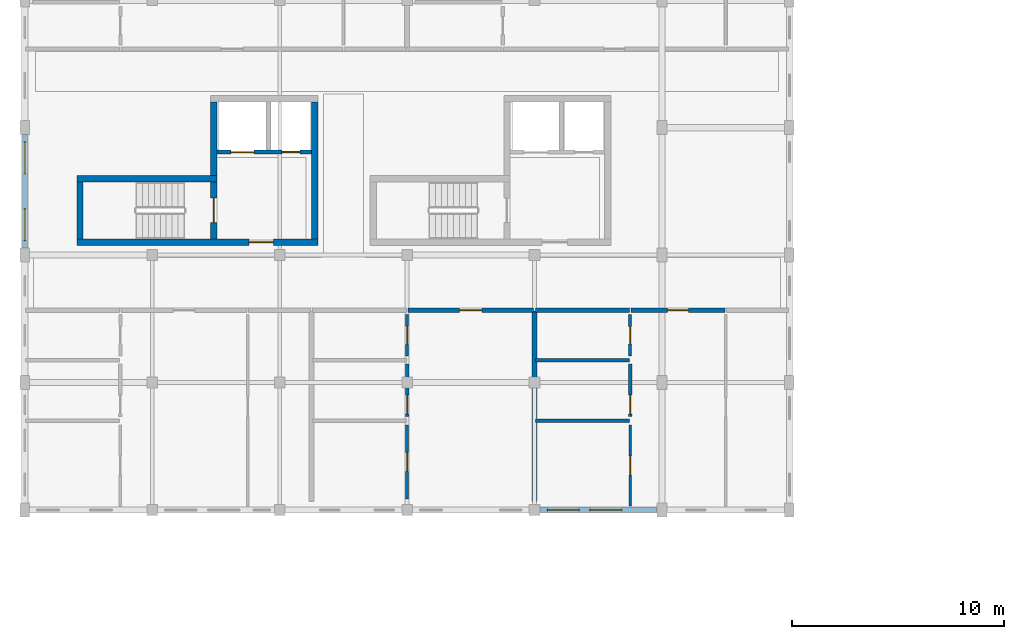
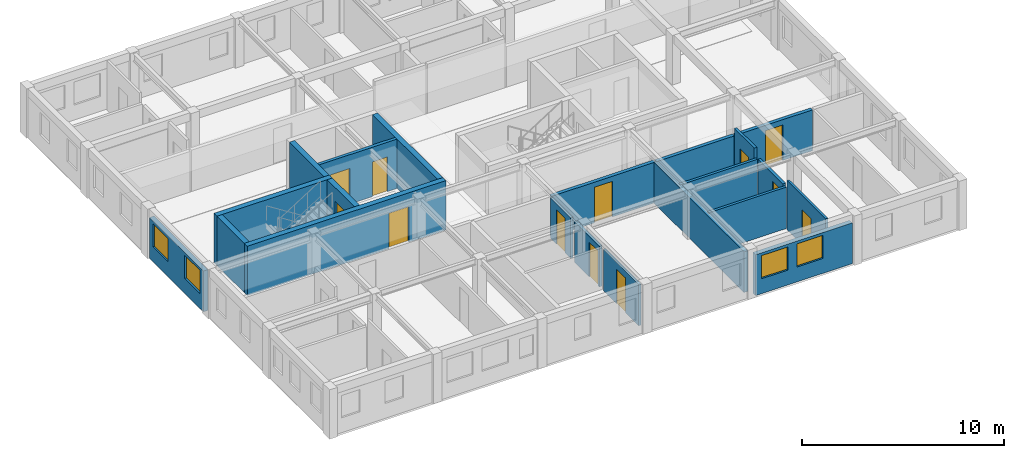
# One storey, part 4 of 17: 21 walls, 12 doors, 4 windows, 16 openings.
"""IFC4 building model written with IfcOpenShell, lengths in metres."""

from ifc_helpers import new_model, si_unit, direction, frame, frame_2d, origin, place, context, subcontext, project, spatial, rectangle, extrude, material, layer, layer_set, type_object, element, fill, save


model = new_model("IFC4")

# Units and contexts
model_context = context("Model", 3, precision=1e-05, world=origin(), true_north=direction((0.0, 1.0)))
body_context = subcontext(model_context, "Body", "Model", "MODEL_VIEW")
ifc_project = project(units=[si_unit("LENGTHUNIT", "METRE"), si_unit("AREAUNIT", "SQUARE_METRE"), si_unit("VOLUMEUNIT", "CUBIC_METRE"), si_unit("PLANEANGLEUNIT", "RADIAN"), si_unit("MASSUNIT", "GRAM", prefix="KILO"), si_unit("POWERUNIT", "WATT"), si_unit("THERMODYNAMICTEMPERATUREUNIT", "KELVIN")], contexts=[model_context])

# Site, building, storey
site_placement = place(None, origin())
site = spatial("IfcSite", under=ifc_project, at=site_placement, CompositionType="ELEMENT")
building_placement = place(site_placement, origin())
building = spatial("IfcBuilding", under=site, at=building_placement, Name="Ruvembo Vaulted Housing Court", CompositionType="ELEMENT")
storey_placement = place(building_placement, frame((0.0, 0.0, 30.10009765625)))
storey = spatial("IfcBuildingStorey", under=building, at=storey_placement, Name="L09", CompositionType="ELEMENT", Elevation=30.10009765625)

# Wall, opening, door
ifc_material_1 = material(Name="Concrete C35/45", Category="concrete")
ifc_layer_1 = layer(ifc_material_1, 0.300048828125, Name="Concrete C35/45")
ifc_layer_set_1 = layer_set([ifc_layer_1], Name="Concrete C35/45")
wall_type_1 = type_object("IfcWallType", Name="WL-CORE-300", PredefinedType="SHEAR", material=ifc_layer_set_1)
wall_1_placement = place(storey_placement, frame((2.449951171875, 18.60009765625, 0.0), z_axis=(0.0, 0.0, 1.0), x_axis=(1.0, 0.0, 0.0)))
wall_1 = element("IfcWall", 1, at=wall_1_placement, inside=storey, type_object=wall_type_1, Name="Core A1 L09 South Shear Wall", PredefinedType="SHEAR", context=body_context, shape_type="SweptSolid", body=[
    extrude(rectangle(XDim=11.35009765625, YDim=0.300048828125, at=frame_2d((5.675048828125, 0.0))), origin(), (0.0, 0.0, 1.0), 2.98486328125),
])
opening_1_placement = place(wall_1_placement, frame((8.10009765625, 0.0, 0.0)))
opening_1 = element("IfcOpeningElement", 2, at=opening_1_placement, cuts=wall_1, Name="Opening LD0", PredefinedType="OPENING", context=body_context, shape_type="SweptSolid", body=[
    extrude(rectangle(XDim=1.14990234375, YDim=2.14990234375, at=frame_2d((0.574951171875, 1.074951171875))), frame((0.0, 0.159912109375, 0.0), z_axis=(0.0, -1.0, 0.0), x_axis=(1.0, 0.0, 0.0)), (0.0, 0.0, 1.0), 0.320068359375),
])
ifc_material_2 = material(Name="Galvanised Painted Steel", Category="steel")
door_type_1 = type_object("IfcDoorType", Name="DR-LOB-1150x2150", OperationType="NOTDEFINED", PredefinedType="DOOR", material=ifc_material_2)
door_1_placement = place(opening_1_placement, origin())
door_1 = element("IfcDoor", 3, at=door_1_placement, inside=storey, type_object=door_type_1, Name="Core A1 L09 Lobby Fire Door", OperationType="SINGLE_SWING_LEFT", OverallHeight=2.14990234375, OverallWidth=1.14990234375, PredefinedType="DOOR", context=body_context, shape_type="SweptSolid", body=[
    extrude(rectangle(XDim=1.14990234375, YDim=2.14990234375, at=frame_2d((0.574951171875, 1.074951171875))), frame((0.0, 0.02490234375, 0.0), z_axis=(0.0, -1.0, 0.0), x_axis=(1.0, 0.0, 0.0)), (0.0, 0.0, 1.0), 0.050048828125),
])
fill(opening_1, door_1)

# Walls
wall_2_placement = place(storey_placement, frame((9.050048828125, 21.60009765625, 0.0), z_axis=(0.0, 0.0, 1.0), x_axis=(-1.0, 0.0, 0.0)))
element("IfcWall", 4, at=wall_2_placement, inside=storey, type_object=wall_type_1, Name="Core A1 L09 Stair North Shear Wall", PredefinedType="SHEAR", context=body_context, shape_type="SweptSolid", body=[
    extrude(rectangle(XDim=6.60009765625, YDim=0.300048828125, at=frame_2d((3.300048828125, 0.0))), origin(), (0.0, 0.0, 1.0), 2.98486328125),
])
wall_3_placement = place(storey_placement, frame((2.60009765625, 21.449951171875, 0.0), z_axis=(0.0, 0.0, 1.0), x_axis=(0.0, -1.0, 0.0)))
element("IfcWall", 5, at=wall_3_placement, inside=storey, type_object=wall_type_1, Name="Core A1 L09 Stair West Shear Wall", PredefinedType="SHEAR", context=body_context, shape_type="SweptSolid", body=[
    extrude(rectangle(XDim=2.699951171875, YDim=0.300048828125, at=frame_2d((1.35009765625, 0.0))), origin(), (0.0, 0.0, 1.0), 2.98486328125),
])

# Wall, opening, door
wall_4_placement = place(storey_placement, frame((8.89990234375, 18.75, 0.0), z_axis=(0.0, 0.0, 1.0), x_axis=(0.0, 1.0, 0.0)))
wall_4 = element("IfcWall", 6, at=wall_4_placement, inside=storey, type_object=wall_type_1, Name="Core A1 L09 Stair-Lobby Shear Wall", PredefinedType="SHEAR", context=body_context, shape_type="SweptSolid", body=[
    extrude(rectangle(XDim=2.699951171875, YDim=0.300048828125, at=frame_2d((1.35009765625, 0.0))), origin(), (0.0, 0.0, 1.0), 2.98486328125),
])
opening_2_placement = place(wall_4_placement, frame((0.77490234375, 0.0, 0.0)))
opening_2 = element("IfcOpeningElement", 7, at=opening_2_placement, cuts=wall_4, Name="Opening SD1", PredefinedType="OPENING", context=body_context, shape_type="SweptSolid", body=[
    extrude(rectangle(XDim=1.14990234375, YDim=2.14990234375, at=frame_2d((0.574951171875, 1.074951171875))), frame((0.0, 0.159912109375, 0.0), z_axis=(0.0, -1.0, 0.0), x_axis=(1.0, 0.0, 0.0)), (0.0, 0.0, 1.0), 0.320068359375),
])
door_type_2 = type_object("IfcDoorType", Name="DR-STAIR-1150x2150", OperationType="NOTDEFINED", PredefinedType="DOOR", material=ifc_material_2)
door_2_placement = place(opening_2_placement, origin())
door_2 = element("IfcDoor", 8, at=door_2_placement, inside=storey, type_object=door_type_2, Name="Stair ST-A1 L09 Fire Door", OperationType="SINGLE_SWING_RIGHT", OverallHeight=2.14990234375, OverallWidth=1.14990234375, PredefinedType="DOOR", context=body_context, shape_type="SweptSolid", body=[
    extrude(rectangle(XDim=1.14990234375, YDim=2.14990234375, at=frame_2d((0.574951171875, 1.074951171875))), frame((0.0, 0.02490234375, 0.0), z_axis=(0.0, -1.0, 0.0), x_axis=(1.0, 0.0, 0.0)), (0.0, 0.0, 1.0), 0.050048828125),
])
fill(opening_2, door_2)

# Walls
wall_5_placement = place(storey_placement, frame((13.64990234375, 18.75, 0.0), z_axis=(0.0, 0.0, 1.0), x_axis=(0.0, 1.0, 0.0)))
element("IfcWall", 9, at=wall_5_placement, inside=storey, type_object=wall_type_1, Name="Core A1 L09 East Shear Wall", PredefinedType="SHEAR", context=body_context, shape_type="SweptSolid", body=[
    extrude(rectangle(XDim=6.449951171875, YDim=0.300048828125, at=frame_2d((3.22509765625, 0.0))), origin(), (0.0, 0.0, 1.0), 2.98486328125),
])
wall_6_placement = place(storey_placement, frame((8.89990234375, 21.75, 0.0), z_axis=(0.0, 0.0, 1.0), x_axis=(0.0, 1.0, 0.0)))
element("IfcWall", 10, at=wall_6_placement, inside=storey, type_object=wall_type_1, Name="Core A1 L09 Upper West Shear Wall", PredefinedType="SHEAR", context=body_context, shape_type="SweptSolid", body=[
    extrude(rectangle(XDim=3.449951171875, YDim=0.300048828125, at=frame_2d((1.72509765625, 0.0))), origin(), (0.0, 0.0, 1.0), 2.98486328125),
])

# Wall, opening, door
ifc_material_3 = material(Name="Concrete Blockwork 200", Category="masonry")
ifc_layer_2 = layer(ifc_material_3, 0.199951171875, Name="Concrete Blockwork 200")
ifc_layer_set_2 = layer_set([ifc_layer_2], Name="Concrete Blockwork 200")
wall_type_2 = type_object("IfcWallType", Name="WL-CORR-200", PredefinedType="SOLIDWALL", material=ifc_layer_set_2)
wall_7_placement = place(storey_placement, frame((18.0400390625, 15.39990234375, 0.0), z_axis=(0.0, 0.0, 1.0), x_axis=(1.0, 0.0, 0.0)))
wall_7 = element("IfcWall", 11, at=wall_7_placement, inside=storey, type_object=wall_type_2, Name="L09 Flat A-L09-S2 Entrance WL-INT-L09-02144", PredefinedType="SOLIDWALL", context=body_context, shape_type="SweptSolid", body=[
    extrude(rectangle(XDim=5.919921875, YDim=0.199951171875, at=frame_2d((2.9599609375, 0.0))), origin(), (0.0, 0.0, 1.0), 2.4580078125),
])
opening_3_placement = place(wall_7_placement, frame((2.43505859375, 0.0, 0.0)))
opening_3 = element("IfcOpeningElement", 12, at=opening_3_placement, cuts=wall_7, Name="Opening FD3", PredefinedType="OPENING", context=body_context, shape_type="SweptSolid", body=[
    extrude(rectangle(XDim=1.050048828125, YDim=2.14990234375, at=frame_2d((0.52490234375, 1.074951171875))), frame((0.0, 0.10986328125, 0.0), z_axis=(0.0, -1.0, 0.0), x_axis=(1.0, 0.0, 0.0)), (0.0, 0.0, 1.0), 0.219970703125),
])
ifc_material_4 = material(Name="FSC Hardwood and Engineered Timber", Category="wood")
door_type_3 = type_object("IfcDoorType", Name="DR-FLAT-1050x2150", OperationType="NOTDEFINED", PredefinedType="DOOR", material=ifc_material_4)
door_3_placement = place(opening_3_placement, origin())
door_3 = element("IfcDoor", 13, at=door_3_placement, inside=storey, type_object=door_type_3, Name="L09 Flat A-L09-S2 Entrance Door DR-INT-L09-01193", OperationType="SINGLE_SWING_LEFT", OverallHeight=2.14990234375, OverallWidth=1.050048828125, PredefinedType="DOOR", context=body_context, shape_type="SweptSolid", body=[
    extrude(rectangle(XDim=1.050048828125, YDim=2.14990234375, at=frame_2d((0.52490234375, 1.074951171875))), frame((0.0, 0.02490234375, 0.0), z_axis=(0.0, -1.0, 0.0), x_axis=(1.0, 0.0, 0.0)), (0.0, 0.0, 1.0), 0.050048828125),
])
fill(opening_3, door_3)

# Wall
wall_8_placement = place(storey_placement, frame((24.0400390625, 15.39990234375, 0.0), z_axis=(0.0, 0.0, 1.0), x_axis=(1.0, 0.0, 0.0)))
element("IfcWall", 14, at=wall_8_placement, inside=storey, type_object=wall_type_2, Name="L09 Flat A-L09-S3 Corridor Wall WL-INT-L09-02150", PredefinedType="SOLIDWALL", context=body_context, shape_type="SweptSolid", body=[
    extrude(rectangle(XDim=4.419921875, YDim=0.199951171875, at=frame_2d((2.2099609375, 0.0))), origin(), (0.0, 0.0, 1.0), 2.4580078125),
])

# Wall, opening, door
wall_9_placement = place(storey_placement, frame((28.5400390625, 15.39990234375, 0.0), z_axis=(0.0, 0.0, 1.0), x_axis=(1.0, 0.0, 0.0)))
wall_9 = element("IfcWall", 15, at=wall_9_placement, inside=storey, type_object=wall_type_2, Name="L09 Flat A-L09-S3 Entrance WL-INT-L09-02151", PredefinedType="SOLIDWALL", context=body_context, shape_type="SweptSolid", body=[
    extrude(rectangle(XDim=4.419921875, YDim=0.199951171875, at=frame_2d((2.2099609375, 0.0))), origin(), (0.0, 0.0, 1.0), 2.466796875),
])
opening_4_placement = place(wall_9_placement, frame((1.7099609375, 0.0, 0.0)))
opening_4 = element("IfcOpeningElement", 16, at=opening_4_placement, cuts=wall_9, Name="Opening FD1", PredefinedType="OPENING", context=body_context, shape_type="SweptSolid", body=[
    extrude(rectangle(XDim=1.0, YDim=2.14990234375, at=frame_2d((0.5, 1.074951171875))), frame((0.0, 0.10986328125, 0.0), z_axis=(0.0, -1.0, 0.0), x_axis=(1.0, 0.0, 0.0)), (0.0, 0.0, 1.0), 0.219970703125),
])
door_type_4 = type_object("IfcDoorType", Name="DR-FLAT-1000x2150", OperationType="NOTDEFINED", PredefinedType="DOOR", material=ifc_material_4)
door_4_placement = place(opening_4_placement, origin())
door_4 = element("IfcDoor", 17, at=door_4_placement, inside=storey, type_object=door_type_4, Name="L09 Flat A-L09-S3 Entrance Door DR-INT-L09-01197", OperationType="SINGLE_SWING_LEFT", OverallHeight=2.14990234375, OverallWidth=1.0, PredefinedType="DOOR", context=body_context, shape_type="SweptSolid", body=[
    extrude(rectangle(XDim=1.0, YDim=2.14990234375, at=frame_2d((0.5, 1.074951171875))), frame((0.0, 0.02490234375, 0.0), z_axis=(0.0, -1.0, 0.0), x_axis=(1.0, 0.0, 0.0)), (0.0, 0.0, 1.0), 0.050048828125),
])
fill(opening_4, door_4)

# Wall
ifc_material_5 = material(Name="Acoustic Masonry Demising 230", Category="masonry")
ifc_layer_3 = layer(ifc_material_5, 0.22998046875, Name="Acoustic Masonry Demising 230")
ifc_layer_set_3 = layer_set([ifc_layer_3], Name="Acoustic Masonry Demising 230")
wall_type_3 = type_object("IfcWallType", Name="WL-DEM-230", PredefinedType="SOLIDWALL", material=ifc_layer_set_3)
wall_10_placement = place(storey_placement, frame((24.0, 6.389892578125, 0.0), z_axis=(0.0, 0.0, 1.0), x_axis=(0.0, 1.0, 0.0)))
element("IfcWall", 18, at=wall_10_placement, inside=storey, type_object=wall_type_3, Name="L09 Demising A-L09-S2 WL-INT-L09-02142", PredefinedType="SOLIDWALL", context=body_context, shape_type="SweptSolid", body=[
    extrude(rectangle(XDim=8.97021484375, YDim=0.22998046875, at=frame_2d((4.485107421875, 0.0))), origin(), (0.0, 0.0, 1.0), 2.4580078125),
])

# Wall, openings, windows
ifc_material_6 = material(Name="Rendered Masonry 260", Category="masonry")
ifc_layer_4 = layer(ifc_material_6, 0.260009765625, Name="Rendered Masonry 260")
ifc_layer_set_4 = layer_set([ifc_layer_4], Name="Rendered Masonry 260")
wall_type_4 = type_object("IfcWallType", Name="WL-EXT-260", PredefinedType="STANDARD", material=ifc_layer_set_4)
wall_11_placement = place(storey_placement, frame((24.25, 6.0, 0.0), z_axis=(0.0, 0.0, 1.0), x_axis=(1.0, 0.0, 0.0)))
wall_11 = element("IfcWall", 19, at=wall_11_placement, inside=storey, type_object=wall_type_4, Name="Block A L09 Exterior Wall STREET #5", PredefinedType="STANDARD", context=body_context, shape_type="SweptSolid", body=[
    extrude(rectangle(XDim=5.52490234375, YDim=0.260009765625, at=frame_2d((2.762451171875, 0.0))), origin(), (0.0, 0.0, 1.0), 2.466796875),
])
opening_5_placement = place(wall_11_placement, frame((0.35009765625, 0.0, 0.89990234375)))
opening_5 = element("IfcOpeningElement", 20, at=opening_5_placement, cuts=wall_11, Name="Opening W18", PredefinedType="OPENING", context=body_context, shape_type="SweptSolid", body=[
    extrude(rectangle(XDim=1.5, YDim=1.39990234375, at=frame_2d((0.75, 0.699951171875))), frame((0.0, 0.139892578125, 0.0), z_axis=(0.0, -1.0, 0.0), x_axis=(1.0, 0.0, 0.0)), (0.0, 0.0, 1.0), 0.280029296875),
])
opening_6_placement = place(wall_11_placement, frame((2.360107421875, 0.0, 0.89990234375)))
opening_6 = element("IfcOpeningElement", 21, at=opening_6_placement, cuts=wall_11, Name="Opening W18", PredefinedType="OPENING", context=body_context, shape_type="SweptSolid", body=[
    extrude(rectangle(XDim=1.5, YDim=1.39990234375, at=frame_2d((0.75, 0.699951171875))), frame((0.0, 0.139892578125, 0.0), z_axis=(0.0, -1.0, 0.0), x_axis=(1.0, 0.0, 0.0)), (0.0, 0.0, 1.0), 0.280029296875),
])
ifc_material_7 = material(Name="Double Solar-Control Glazing in Aluminium Frame", Category="aluminium")
window_type = type_object("IfcWindowType", Name="WIN-1500x1400", PartitioningType="SINGLE_PANEL", PredefinedType="WINDOW", material=ifc_material_7)
window_1_placement = place(opening_5_placement, origin())
window_1 = element("IfcWindow", 22, at=window_1_placement, inside=storey, type_object=window_type, Name="Block A L09 Window #395", OverallHeight=1.39990234375, OverallWidth=1.5, PartitioningType="SINGLE_PANEL", PredefinedType="WINDOW", context=body_context, shape_type="SweptSolid", body=[
    extrude(rectangle(XDim=1.5, YDim=1.39990234375, at=frame_2d((0.75, 0.699951171875))), frame((0.0, 0.030029296875, 0.0), z_axis=(0.0, -1.0, 0.0), x_axis=(1.0, 0.0, 0.0)), (0.0, 0.0, 1.0), 0.06005859375),
])
fill(opening_5, window_1)
window_2_placement = place(opening_6_placement, origin())
window_2 = element("IfcWindow", 23, at=window_2_placement, inside=storey, type_object=window_type, Name="Block A L09 Window #396", OverallHeight=1.39990234375, OverallWidth=1.5, PartitioningType="SINGLE_PANEL", PredefinedType="WINDOW", context=body_context, shape_type="SweptSolid", body=[
    extrude(rectangle(XDim=1.5, YDim=1.39990234375, at=frame_2d((0.75, 0.699951171875))), frame((0.0, 0.030029296875, 0.0), z_axis=(0.0, -1.0, 0.0), x_axis=(1.0, 0.0, 0.0)), (0.0, 0.0, 1.0), 0.06005859375),
])
fill(opening_6, window_2)

wall_12_placement = place(storey_placement, frame((0.0, 23.675048828125, 0.0), z_axis=(0.0, 0.0, 1.0), x_axis=(0.0, -1.0, 0.0)))
wall_12 = element("IfcWall", 24, at=wall_12_placement, inside=storey, type_object=wall_type_4, Name="Block A L09 Exterior Wall WEST #3", PredefinedType="STANDARD", context=body_context, shape_type="SweptSolid", body=[
    extrude(rectangle(XDim=5.35009765625, YDim=0.260009765625, at=frame_2d((2.675048828125, 0.0))), origin(), (0.0, 0.0, 1.0), 2.466796875),
])
opening_7_placement = place(wall_12_placement, frame((0.35009765625, 0.0, 0.89990234375)))
opening_7 = element("IfcOpeningElement", 25, at=opening_7_placement, cuts=wall_12, Name="Opening W18", PredefinedType="OPENING", context=body_context, shape_type="SweptSolid", body=[
    extrude(rectangle(XDim=1.5, YDim=1.39990234375, at=frame_2d((0.75, 0.699951171875))), frame((0.0, 0.139892578125, 0.0), z_axis=(0.0, -1.0, 0.0), x_axis=(1.0, 0.0, 0.0)), (0.0, 0.0, 1.0), 0.280029296875),
])
opening_8_placement = place(wall_12_placement, frame((3.5, 0.0, 0.89990234375)))
opening_8 = element("IfcOpeningElement", 26, at=opening_8_placement, cuts=wall_12, Name="Opening W18", PredefinedType="OPENING", context=body_context, shape_type="SweptSolid", body=[
    extrude(rectangle(XDim=1.5, YDim=1.39990234375, at=frame_2d((0.75, 0.699951171875))), frame((0.0, 0.139892578125, 0.0), z_axis=(0.0, -1.0, 0.0), x_axis=(1.0, 0.0, 0.0)), (0.0, 0.0, 1.0), 0.280029296875),
])
window_3_placement = place(opening_7_placement, origin())
window_3 = element("IfcWindow", 27, at=window_3_placement, inside=storey, type_object=window_type, Name="Block A L09 Window #425", OverallHeight=1.39990234375, OverallWidth=1.5, PartitioningType="SINGLE_PANEL", PredefinedType="WINDOW", context=body_context, shape_type="SweptSolid", body=[
    extrude(rectangle(XDim=1.5, YDim=1.39990234375, at=frame_2d((0.75, 0.699951171875))), frame((0.0, 0.030029296875, 0.0), z_axis=(0.0, -1.0, 0.0), x_axis=(1.0, 0.0, 0.0)), (0.0, 0.0, 1.0), 0.06005859375),
])
fill(opening_7, window_3)
window_4_placement = place(opening_8_placement, origin())
window_4 = element("IfcWindow", 28, at=window_4_placement, inside=storey, type_object=window_type, Name="Block A L09 Window #426", OverallHeight=1.39990234375, OverallWidth=1.5, PartitioningType="SINGLE_PANEL", PredefinedType="WINDOW", context=body_context, shape_type="SweptSolid", body=[
    extrude(rectangle(XDim=1.5, YDim=1.39990234375, at=frame_2d((0.75, 0.699951171875))), frame((0.0, 0.030029296875, 0.0), z_axis=(0.0, -1.0, 0.0), x_axis=(1.0, 0.0, 0.0)), (0.0, 0.0, 1.0), 0.06005859375),
])
fill(opening_8, window_4)

# Wall, opening, door
ifc_material_8 = material(Name="Plasterboard Stud Partition 125", Category="gypsum")
ifc_layer_5 = layer(ifc_material_8, 0.125, Name="Plasterboard Stud Partition 125")
ifc_layer_set_5 = layer_set([ifc_layer_5], Name="Plasterboard Stud Partition 125")
wall_type_5 = type_object("IfcWallType", Name="WL-PART-125", PredefinedType="PARTITIONING", material=ifc_layer_set_5)
wall_13_placement = place(storey_placement, frame((28.5, 6.18994140625, 0.0), z_axis=(0.0, 0.0, 1.0), x_axis=(0.0, 1.0, 0.0)))
wall_13 = element("IfcWall", 29, at=wall_13_placement, inside=storey, type_object=wall_type_5, Name="L09 Flat A-L09-S3 Bedroom 1 WL-INT-L09-02152", PredefinedType="PARTITIONING", context=body_context, shape_type="SweptSolid", body=[
    extrude(rectangle(XDim=3.820068359375, YDim=0.125, at=frame_2d((1.91015625, 0.0))), origin(), (0.0, 0.0, 1.0), 2.98486328125),
])
opening_9_placement = place(wall_13_placement, frame((1.4599609375, 0.0, 0.0)))
opening_9 = element("IfcOpeningElement", 30, at=opening_9_placement, cuts=wall_13, Name="Opening ID1", PredefinedType="OPENING", context=body_context, shape_type="SweptSolid", body=[
    extrude(rectangle(XDim=0.89990234375, YDim=2.10009765625, at=frame_2d((0.449951171875, 1.050048828125))), frame((0.0, 0.072509765625, 0.0), z_axis=(0.0, -1.0, 0.0), x_axis=(1.0, 0.0, 0.0)), (0.0, 0.0, 1.0), 0.14501953125),
])
door_type_5 = type_object("IfcDoorType", Name="DR-ROOM-0900x2100", OperationType="NOTDEFINED", PredefinedType="DOOR", material=ifc_material_4)
door_5_placement = place(opening_9_placement, origin())
door_5 = element("IfcDoor", 31, at=door_5_placement, inside=storey, type_object=door_type_5, Name="L09 Flat A-L09-S3 Bedroom 1 Door DR-INT-L09-01198", OperationType="SINGLE_SWING_RIGHT", OverallHeight=2.10009765625, OverallWidth=0.89990234375, PredefinedType="DOOR", context=body_context, shape_type="SweptSolid", body=[
    extrude(rectangle(XDim=0.89990234375, YDim=2.10009765625, at=frame_2d((0.449951171875, 1.050048828125))), frame((0.0, 0.02490234375, 0.0), z_axis=(0.0, -1.0, 0.0), x_axis=(1.0, 0.0, 0.0)), (0.0, 0.0, 1.0), 0.050048828125),
])
fill(opening_9, door_5)

ifc_material_9 = material(Name="Acoustic Stud Partition 135", Category="gypsum")
ifc_layer_6 = layer(ifc_material_9, 0.135009765625, Name="Acoustic Stud Partition 135")
ifc_layer_set_6 = layer_set([ifc_layer_6], Name="Acoustic Stud Partition 135")
wall_type_6 = type_object("IfcWallType", Name="WL-PART-135", PredefinedType="PARTITIONING", material=ifc_layer_set_6)
wall_14_placement = place(storey_placement, frame((18.0, 6.510009765625, 0.0), z_axis=(0.0, 0.0, 1.0), x_axis=(0.0, 1.0, 0.0)))
wall_14 = element("IfcWall", 32, at=wall_14_placement, inside=storey, type_object=wall_type_6, Name="L09 Flat A-L09-S2 Bedroom 1 WL-INT-L09-02145", PredefinedType="PARTITIONING", context=body_context, shape_type="SweptSolid", body=[
    extrude(rectangle(XDim=3.5, YDim=0.135009765625, at=frame_2d((1.75, 0.0))), origin(), (0.0, 0.0, 1.0), 2.5078125),
])
opening_10_placement = place(wall_14_placement, frame((1.300048828125, 0.0, 0.0)))
opening_10 = element("IfcOpeningElement", 33, at=opening_10_placement, cuts=wall_14, Name="Opening ID1", PredefinedType="OPENING", context=body_context, shape_type="SweptSolid", body=[
    extrude(rectangle(XDim=0.89990234375, YDim=2.10009765625, at=frame_2d((0.449951171875, 1.050048828125))), frame((0.0, 0.077392578125, 0.0), z_axis=(0.0, -1.0, 0.0), x_axis=(1.0, 0.0, 0.0)), (0.0, 0.0, 1.0), 0.155029296875),
])
door_6_placement = place(opening_10_placement, origin())
door_6 = element("IfcDoor", 34, at=door_6_placement, inside=storey, type_object=door_type_5, Name="L09 Flat A-L09-S2 Bedroom 1 Door DR-INT-L09-01194", OperationType="SINGLE_SWING_RIGHT", OverallHeight=2.10009765625, OverallWidth=0.89990234375, PredefinedType="DOOR", context=body_context, shape_type="SweptSolid", body=[
    extrude(rectangle(XDim=0.89990234375, YDim=2.10009765625, at=frame_2d((0.449951171875, 1.050048828125))), frame((0.0, 0.02490234375, 0.0), z_axis=(0.0, -1.0, 0.0), x_axis=(1.0, 0.0, 0.0)), (0.0, 0.0, 1.0), 0.050048828125),
])
fill(opening_10, door_6)

ifc_material_10 = material(Name="Moisture-Resistant Wet Partition 150", Category="gypsum")
ifc_layer_7 = layer(ifc_material_10, 0.14990234375, Name="Moisture-Resistant Wet Partition 150")
ifc_layer_set_7 = layer_set([ifc_layer_7], Name="Moisture-Resistant Wet Partition 150")
wall_type_7 = type_object("IfcWallType", Name="WL-PART-150", PredefinedType="PARTITIONING", material=ifc_layer_set_7)
wall_15_placement = place(storey_placement, frame((18.0, 13.239990234375, 0.0), z_axis=(0.0, 0.0, 1.0), x_axis=(0.0, 1.0, 0.0)))
wall_15 = element("IfcWall", 35, at=wall_15_placement, inside=storey, type_object=wall_type_7, Name="L09 Flat A-L09-S2 Bathroom WL-INT-L09-02147", PredefinedType="PARTITIONING", context=body_context, shape_type="SweptSolid", body=[
    extrude(rectangle(XDim=1.969970703125, YDim=0.14990234375, at=frame_2d((0.98486328125, 0.0))), origin(), (0.0, 0.0, 1.0), 2.4580078125),
])
opening_11_placement = place(wall_15_placement, frame((0.56005859375, 0.0, 0.0)))
opening_11 = element("IfcOpeningElement", 36, at=opening_11_placement, cuts=wall_15, Name="Opening ID2", PredefinedType="OPENING", context=body_context, shape_type="SweptSolid", body=[
    extrude(rectangle(XDim=0.85009765625, YDim=2.10009765625, at=frame_2d((0.425048828125, 1.050048828125))), frame((0.0, 0.0849609375, 0.0), z_axis=(0.0, -1.0, 0.0), x_axis=(1.0, 0.0, 0.0)), (0.0, 0.0, 1.0), 0.169921875),
])
door_type_6 = type_object("IfcDoorType", Name="DR-WET-0850x2100", OperationType="NOTDEFINED", PredefinedType="DOOR", material=ifc_material_4)
door_7_placement = place(opening_11_placement, origin())
door_7 = element("IfcDoor", 37, at=door_7_placement, inside=storey, type_object=door_type_6, Name="L09 Flat A-L09-S2 Bathroom Door DR-INT-L09-01196", OperationType="SINGLE_SWING_RIGHT", OverallHeight=2.10009765625, OverallWidth=0.85009765625, PredefinedType="DOOR", context=body_context, shape_type="SweptSolid", body=[
    extrude(rectangle(XDim=0.85009765625, YDim=2.10009765625, at=frame_2d((0.425048828125, 1.050048828125))), frame((0.0, 0.02490234375, 0.0), z_axis=(0.0, -1.0, 0.0), x_axis=(1.0, 0.0, 0.0)), (0.0, 0.0, 1.0), 0.050048828125),
])
fill(opening_11, door_7)

wall_16_placement = place(storey_placement, frame((28.5, 13.239990234375, 0.0), z_axis=(0.0, 0.0, 1.0), x_axis=(0.0, 1.0, 0.0)))
wall_16 = element("IfcWall", 38, at=wall_16_placement, inside=storey, type_object=wall_type_7, Name="L09 Flat A-L09-S3 Bathroom WL-INT-L09-02154", PredefinedType="PARTITIONING", context=body_context, shape_type="SweptSolid", body=[
    extrude(rectangle(XDim=1.969970703125, YDim=0.14990234375, at=frame_2d((0.98486328125, 0.0))), origin(), (0.0, 0.0, 1.0), 2.98486328125),
])
opening_12_placement = place(wall_16_placement, frame((0.574951171875, 0.0, 0.0)))
opening_12 = element("IfcOpeningElement", 39, at=opening_12_placement, cuts=wall_16, Name="Opening ID4", PredefinedType="OPENING", context=body_context, shape_type="SweptSolid", body=[
    extrude(rectangle(XDim=0.820068359375, YDim=2.080078125, at=frame_2d((0.41015625, 1.0400390625))), frame((0.0, 0.0849609375, 0.0), z_axis=(0.0, -1.0, 0.0), x_axis=(1.0, 0.0, 0.0)), (0.0, 0.0, 1.0), 0.169921875),
])
door_type_7 = type_object("IfcDoorType", Name="DR-WET-0820x2080", OperationType="NOTDEFINED", PredefinedType="DOOR", material=ifc_material_4)
door_8_placement = place(opening_12_placement, origin())
door_8 = element("IfcDoor", 40, at=door_8_placement, inside=storey, type_object=door_type_7, Name="L09 Flat A-L09-S3 Bathroom Door DR-INT-L09-01200", OperationType="SINGLE_SWING_RIGHT", OverallHeight=2.080078125, OverallWidth=0.820068359375, PredefinedType="DOOR", context=body_context, shape_type="SweptSolid", body=[
    extrude(rectangle(XDim=0.820068359375, YDim=2.080078125, at=frame_2d((0.41015625, 1.0400390625))), frame((0.0, 0.02490234375, 0.0), z_axis=(0.0, -1.0, 0.0), x_axis=(1.0, 0.0, 0.0)), (0.0, 0.0, 1.0), 0.050048828125),
])
fill(opening_12, door_8)

# Walls
wall_17_placement = place(storey_placement, frame((24.0400390625, 10.199951171875, 0.0), z_axis=(0.0, 0.0, 1.0), x_axis=(1.0, 0.0, 0.0)))
element("IfcWall", 41, at=wall_17_placement, inside=storey, type_object=wall_type_7, Name="L09 Flat A-L09-S3 Wet Wall 1 WL-INT-L09-02155", PredefinedType="PARTITIONING", context=body_context, shape_type="SweptSolid", body=[
    extrude(rectangle(XDim=4.419921875, YDim=0.14990234375, at=frame_2d((2.2099609375, 0.0))), origin(), (0.0, 0.0, 1.0), 2.5078125),
])
wall_18_placement = place(storey_placement, frame((24.0400390625, 13.050048828125, 0.0), z_axis=(0.0, 0.0, 1.0), x_axis=(1.0, 0.0, 0.0)))
element("IfcWall", 42, at=wall_18_placement, inside=storey, type_object=wall_type_7, Name="L09 Flat A-L09-S3 Wet Wall 2 WL-INT-L09-02156", PredefinedType="PARTITIONING", context=body_context, shape_type="SweptSolid", body=[
    extrude(rectangle(XDim=4.419921875, YDim=0.14990234375, at=frame_2d((2.2099609375, 0.0))), origin(), (0.0, 0.0, 1.0), 2.4580078125),
])

# Wall, opening, door
ifc_material_11 = material(Name="Acoustic Service Chase Wall 160", Category="gypsum")
ifc_layer_8 = layer(ifc_material_11, 0.159912109375, Name="Acoustic Service Chase Wall 160")
ifc_layer_set_8 = layer_set([ifc_layer_8], Name="Acoustic Service Chase Wall 160")
wall_type_8 = type_object("IfcWallType", Name="WL-PLUMB-160", PredefinedType="PLUMBINGWALL", material=ifc_layer_set_8)
wall_19_placement = place(storey_placement, frame((18.0, 10.389892578125, 0.0), z_axis=(0.0, 0.0, 1.0), x_axis=(0.0, 1.0, 0.0)))
wall_19 = element("IfcWall", 43, at=wall_19_placement, inside=storey, type_object=wall_type_8, Name="L09 Flat A-L09-S2 Kitchen WL-INT-L09-02146", PredefinedType="PLUMBINGWALL", context=body_context, shape_type="SweptSolid", body=[
    extrude(rectangle(XDim=2.47021484375, YDim=0.159912109375, at=frame_2d((1.235107421875, 0.0))), origin(), (0.0, 0.0, 1.0), 2.4580078125),
])
opening_13_placement = place(wall_19_placement, frame((0.1298828125, 0.0, 0.0)))
opening_13 = element("IfcOpeningElement", 44, at=opening_13_placement, cuts=wall_19, Name="Opening ID3", PredefinedType="OPENING", context=body_context, shape_type="SweptSolid", body=[
    extrude(rectangle(XDim=0.8798828125, YDim=2.10009765625, at=frame_2d((0.43994140625, 1.050048828125))), frame((0.0, 0.08984375, 0.0), z_axis=(0.0, -1.0, 0.0), x_axis=(1.0, 0.0, 0.0)), (0.0, 0.0, 1.0), 0.179931640625),
])
door_type_8 = type_object("IfcDoorType", Name="DR-ROOM-0880x2100", OperationType="NOTDEFINED", PredefinedType="DOOR", material=ifc_material_4)
door_9_placement = place(opening_13_placement, origin())
door_9 = element("IfcDoor", 45, at=door_9_placement, inside=storey, type_object=door_type_8, Name="L09 Flat A-L09-S2 Kitchen Door DR-INT-L09-01195", OperationType="SINGLE_SWING_LEFT", OverallHeight=2.10009765625, OverallWidth=0.8798828125, PredefinedType="DOOR", context=body_context, shape_type="SweptSolid", body=[
    extrude(rectangle(XDim=0.8798828125, YDim=2.10009765625, at=frame_2d((0.43994140625, 1.050048828125))), frame((0.0, 0.02490234375, 0.0), z_axis=(0.0, -1.0, 0.0), x_axis=(1.0, 0.0, 0.0)), (0.0, 0.0, 1.0), 0.050048828125),
])
fill(opening_13, door_9)

wall_20_placement = place(storey_placement, frame((28.5, 10.389892578125, 0.0), z_axis=(0.0, 0.0, 1.0), x_axis=(0.0, 1.0, 0.0)))
wall_20 = element("IfcWall", 46, at=wall_20_placement, inside=storey, type_object=wall_type_8, Name="L09 Flat A-L09-S3 Kitchen WL-INT-L09-02153", PredefinedType="PLUMBINGWALL", context=body_context, shape_type="SweptSolid", body=[
    extrude(rectangle(XDim=2.47021484375, YDim=0.159912109375, at=frame_2d((1.235107421875, 0.0))), origin(), (0.0, 0.0, 1.0), 2.5478515625),
])
opening_14_placement = place(wall_20_placement, frame((0.1298828125, 0.0, 0.0)))
opening_14 = element("IfcOpeningElement", 47, at=opening_14_placement, cuts=wall_20, Name="Opening ID3", PredefinedType="OPENING", context=body_context, shape_type="SweptSolid", body=[
    extrude(rectangle(XDim=0.8798828125, YDim=2.10009765625, at=frame_2d((0.43994140625, 1.050048828125))), frame((0.0, 0.08984375, 0.0), z_axis=(0.0, -1.0, 0.0), x_axis=(1.0, 0.0, 0.0)), (0.0, 0.0, 1.0), 0.179931640625),
])
door_10_placement = place(opening_14_placement, origin())
door_10 = element("IfcDoor", 48, at=door_10_placement, inside=storey, type_object=door_type_8, Name="L09 Flat A-L09-S3 Kitchen Door DR-INT-L09-01199", OperationType="SINGLE_SWING_LEFT", OverallHeight=2.10009765625, OverallWidth=0.8798828125, PredefinedType="DOOR", context=body_context, shape_type="SweptSolid", body=[
    extrude(rectangle(XDim=0.8798828125, YDim=2.10009765625, at=frame_2d((0.43994140625, 1.050048828125))), frame((0.0, 0.02490234375, 0.0), z_axis=(0.0, -1.0, 0.0), x_axis=(1.0, 0.0, 0.0)), (0.0, 0.0, 1.0), 0.050048828125),
])
fill(opening_14, door_10)

# Wall, openings, doors
ifc_material_12 = material(Name="Fire-Rated Masonry Shaft 180", Category="masonry")
ifc_layer_9 = layer(ifc_material_12, 0.179931640625, Name="Fire-Rated Masonry Shaft 180")
ifc_layer_set_9 = layer_set([ifc_layer_9], Name="Fire-Rated Masonry Shaft 180")
wall_type_9 = type_object("IfcWallType", Name="WL-SHAFT-180", PredefinedType="SOLIDWALL", material=ifc_layer_set_9)
wall_21_placement = place(storey_placement, frame((9.050048828125, 22.85009765625, 0.0), z_axis=(0.0, 0.0, 1.0), x_axis=(1.0, 0.0, 0.0)))
wall_21 = element("IfcWall", 49, at=wall_21_placement, inside=storey, type_object=wall_type_9, Name="Core A1 L09 Lift and Riser Front Wall", PredefinedType="SOLIDWALL", context=body_context, shape_type="SweptSolid", body=[
    extrude(rectangle(XDim=4.449951171875, YDim=0.179931640625, at=frame_2d((2.22509765625, 0.0))), origin(), (0.0, 0.0, 1.0), 2.98486328125),
])
opening_15_placement = place(wall_21_placement, frame((0.64990234375, 0.0, 0.0)))
opening_15 = element("IfcOpeningElement", 50, at=opening_15_placement, cuts=wall_21, Name="Opening LD-FL-A1-L09", PredefinedType="OPENING", context=body_context, shape_type="SweptSolid", body=[
    extrude(rectangle(XDim=1.10009765625, YDim=2.14990234375, at=frame_2d((0.550048828125, 1.074951171875))), frame((0.0, 0.099853515625, 0.0), z_axis=(0.0, -1.0, 0.0), x_axis=(1.0, 0.0, 0.0)), (0.0, 0.0, 1.0), 0.199951171875),
])
opening_16_placement = place(wall_21_placement, frame((3.050048828125, 0.0, 0.0)))
opening_16 = element("IfcOpeningElement", 51, at=opening_16_placement, cuts=wall_21, Name="Opening RD1", PredefinedType="OPENING", context=body_context, shape_type="SweptSolid", body=[
    extrude(rectangle(XDim=0.85009765625, YDim=2.10009765625, at=frame_2d((0.425048828125, 1.050048828125))), frame((0.0, 0.099853515625, 0.0), z_axis=(0.0, -1.0, 0.0), x_axis=(1.0, 0.0, 0.0)), (0.0, 0.0, 1.0), 0.199951171875),
])
ifc_material_13 = material(Name="Brushed Stainless Steel 304", Category="steel")
door_type_9 = type_object("IfcDoorType", Name="DR-LIFT-1100x2150", OperationType="NOTDEFINED", PredefinedType="DOOR", material=ifc_material_13)
door_11_placement = place(opening_15_placement, origin())
door_11 = element("IfcDoor", 52, at=door_11_placement, inside=storey, type_object=door_type_9, Name="Lift FL-A1 L09 Sliding Landing Door", OperationType="SLIDING_TO_LEFT", OverallHeight=2.14990234375, OverallWidth=1.10009765625, PredefinedType="DOOR", context=body_context, shape_type="SweptSolid", body=[
    extrude(rectangle(XDim=1.10009765625, YDim=2.14990234375, at=frame_2d((0.550048828125, 1.074951171875))), frame((0.0, 0.02490234375, 0.0), z_axis=(0.0, -1.0, 0.0), x_axis=(1.0, 0.0, 0.0)), (0.0, 0.0, 1.0), 0.050048828125),
])
fill(opening_15, door_11)
door_type_10 = type_object("IfcDoorType", Name="DR-RISER-0850x2100", OperationType="NOTDEFINED", PredefinedType="DOOR", material=ifc_material_2)
door_12_placement = place(opening_16_placement, frame((0.85009765625, 0.0, 0.0), z_axis=(0.0, 0.0, 1.0), x_axis=(-1.0, 0.0, 0.0)))
door_12 = element("IfcDoor", 53, at=door_12_placement, inside=storey, type_object=door_type_10, Name="Core A1 L09 Service Riser Door", OperationType="SINGLE_SWING_LEFT", OverallHeight=2.10009765625, OverallWidth=0.85009765625, PredefinedType="DOOR", context=body_context, shape_type="SweptSolid", body=[
    extrude(rectangle(XDim=0.85009765625, YDim=2.10009765625, at=frame_2d((0.425048828125, 1.050048828125))), frame((0.0, 0.02490234375, 0.0), z_axis=(0.0, -1.0, 0.0), x_axis=(1.0, 0.0, 0.0)), (0.0, 0.0, 1.0), 0.050048828125),
])
fill(opening_16, door_12)

save(model, "model.ifc")
